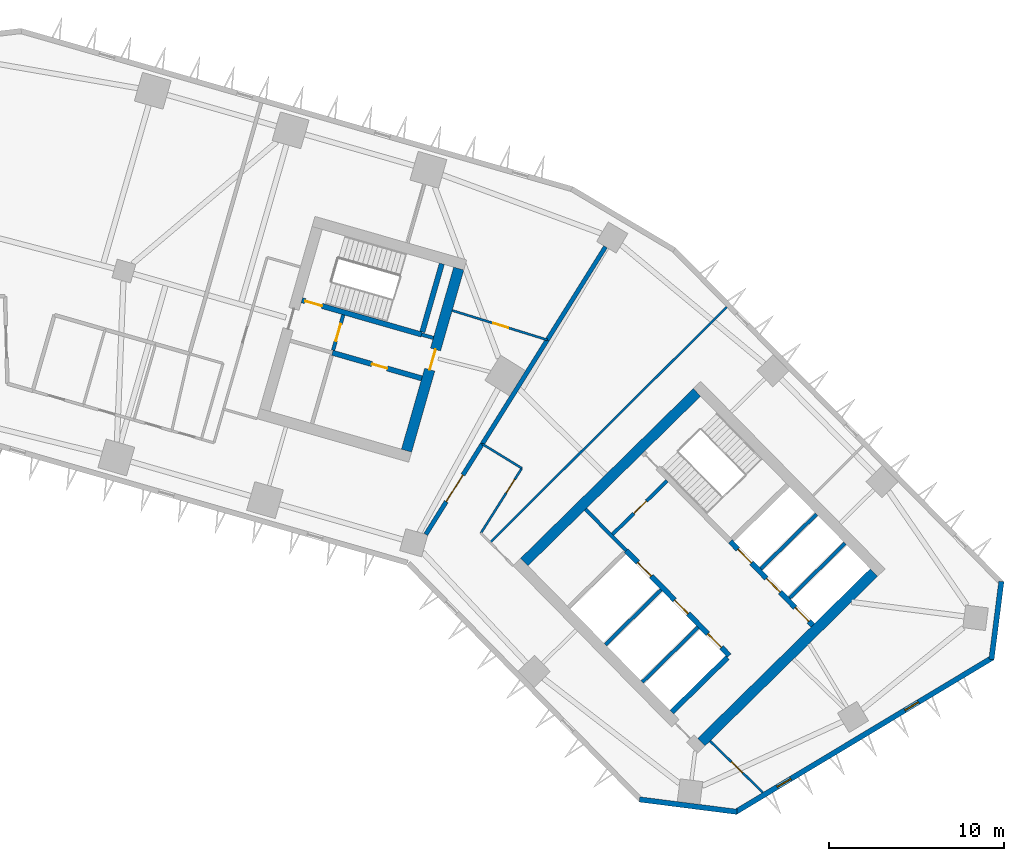
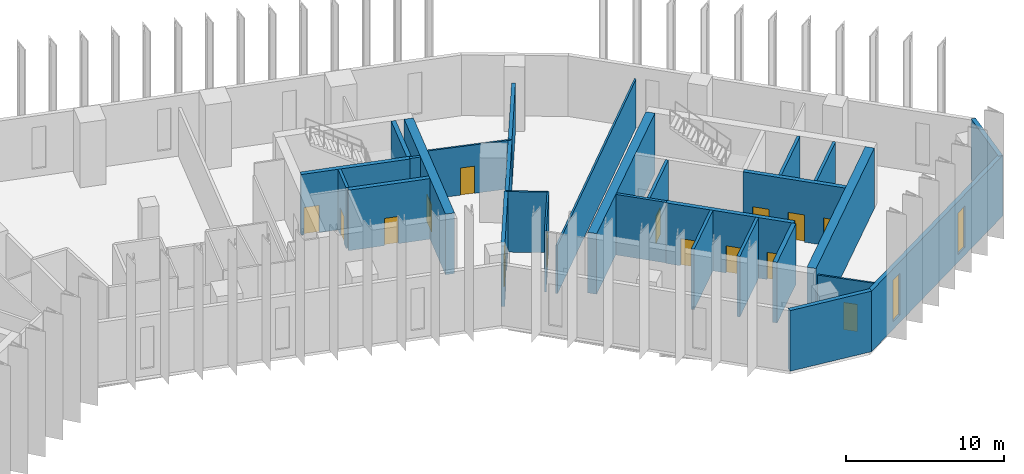
# One storey, part 6 of 11: 28 walls, 15 doors, 2 windows, 17 openings.
"""IFC4 building model written with IfcOpenShell, lengths in metres."""

import ifcopenshell
import ifcopenshell.guid

model = None  # the IFC model being written
_history = None  # IfcOwnerHistory: only IFC2X3 demands one
_inside = {}  # id of a spatial element -> (the spatial element, [elements in it])
_under = {}  # id of a project, library or spatial element -> (it, [spatial elements below it])
_declared = {}  # id of a project -> (the project, [libraries it declares])
_typed = {}  # id of a type object -> (the type object, [elements of that type])
_made_of = {}  # id of a material, layer set ... -> (it, [elements and type objects made of it])


def new_model(schema):
    """Start an empty IFC model of exactly this schema.

    Asked for "IFC4X3", IfcOpenShell would pick the latest addendum, in which some entities
    have other attributes; the version numbers below select the first issue.
    IFC2X3 requires an IfcOwnerHistory on every rooted entity: one is made here for all.
    """
    global model, _history
    if schema == "IFC4X3":
        model = ifcopenshell.file(schema_version=(4, 3, 0, 0))
    else:
        model = ifcopenshell.file(schema=schema)
    _inside.clear()
    _under.clear()
    _declared.clear()
    _typed.clear()
    _made_of.clear()
    _history = None
    if model.schema == "IFC2X3":
        org = make("IfcOrganization", Name="unknown")
        user = make(
            "IfcPersonAndOrganization",
            ThePerson=make("IfcPerson", FamilyName="unknown"),
            TheOrganization=org,
        )
        app = make(
            "IfcApplication",
            ApplicationDeveloper=org,
            Version="unknown",
            ApplicationFullName="unknown",
            ApplicationIdentifier="unknown",
        )
        _history = make(
            "IfcOwnerHistory",
            OwningUser=user,
            OwningApplication=app,
            ChangeAction="ADDED",
            CreationDate=0,
        )
    return model


def make(cls, **values):
    """One entity of the class cls with the attributes given. An attribute that is None is left unset."""
    return model.create_entity(
        cls, **{name: value for name, value in values.items() if value is not None}
    )


def rooted(cls, **values):
    """An entity with a GlobalId (a new one), such as an element, a storey or a relation."""
    return make(cls, GlobalId=ifcopenshell.guid.new(), OwnerHistory=_history, **values)


def si_unit(unit_type, name, prefix=None):
    """IfcSIUnit, for example si_unit("LENGTHUNIT", "METRE", prefix="MILLI")."""
    return make("IfcSIUnit", UnitType=unit_type, Prefix=prefix, Name=name)


def assignment(units):
    """IfcUnitAssignment: the units of a project."""
    return None if units is None else make("IfcUnitAssignment", Units=units)


def point(xyz):
    """IfcCartesianPoint."""
    return None if xyz is None else make("IfcCartesianPoint", Coordinates=xyz)


def direction(xyz):
    """IfcDirection."""
    return None if xyz is None else make("IfcDirection", DirectionRatios=xyz)


def frame(location, z_axis=None, x_axis=None):
    """IfcAxis2Placement3D, a coordinate frame: its origin and axes. An axis left out is left unset."""
    return make(
        "IfcAxis2Placement3D",
        Location=point(location),
        Axis=direction(z_axis),
        RefDirection=direction(x_axis),
    )


def frame_2d(location, x_axis=None):
    """IfcAxis2Placement2D, a coordinate frame in the plane: its origin and x axis."""
    return make(
        "IfcAxis2Placement2D", Location=point(location), RefDirection=direction(x_axis)
    )


def origin():
    """The frame at (0, 0, 0) with its axes left unset."""
    return frame((0.0, 0.0, 0.0))


def place(relative_to, where):
    """IfcLocalPlacement: puts the frame where relative to a parent placement (None: the world)."""
    return make(
        "IfcLocalPlacement", PlacementRelTo=relative_to, RelativePlacement=where
    )


def context(
    kind, dimensions, precision=None, world=None, true_north=None, identifier=None
):
    """IfcGeometricRepresentationContext, for example the 3D "Model" context."""
    return make(
        "IfcGeometricRepresentationContext",
        ContextIdentifier=identifier,
        ContextType=kind,
        CoordinateSpaceDimension=dimensions,
        Precision=precision,
        WorldCoordinateSystem=world,
        TrueNorth=true_north,
    )


def subcontext(parent, identifier, kind, view, scale=None):
    """IfcGeometricRepresentationSubContext, for example "Body" below "Model"."""
    return make(
        "IfcGeometricRepresentationSubContext",
        ContextIdentifier=identifier,
        ContextType=kind,
        ParentContext=parent,
        TargetScale=scale,
        TargetView=view,
    )


def project(units=None, contexts=None):
    """IfcProject with its units and contexts."""
    return rooted(
        "IfcProject",
        Name="project",
        RepresentationContexts=contexts,
        UnitsInContext=assignment(units),
    )


def spatial(cls, under=None, at=None, **own):
    """A site, building, storey or space (cls), placed at a placement, below another one or the project."""
    s = rooted(cls, ObjectPlacement=at, **own)
    if under is not None:
        _under.setdefault(under.id(), (under, []))[1].append(s)
    return s


def profile(cls, at=None, kind="AREA", **sizes):
    """A parametric profile (cls). Its sizes go by their IFC names, for example OverallWidth=200.0."""
    return make(cls, ProfileType=kind, Position=at, **sizes)


def rectangle(**sizes):
    """IfcRectangleProfileDef."""
    return profile("IfcRectangleProfileDef", **sizes)


def extrude(swept, where, along, depth):
    """IfcExtrudedAreaSolid: the profile swept, set in the frame where, extruded along a direction by depth."""
    return make(
        "IfcExtrudedAreaSolid",
        SweptArea=swept,
        Position=where,
        ExtrudedDirection=direction(along),
        Depth=depth,
    )


def shape(context_of_items, identifier, shape_type, items):
    """IfcShapeRepresentation: the items that make up one representation, for example the "Body"."""
    return make(
        "IfcShapeRepresentation",
        ContextOfItems=context_of_items,
        RepresentationIdentifier=identifier,
        RepresentationType=shape_type,
        Items=items,
    )


def material(Name=None, Category=None):
    """IfcMaterial."""
    return make("IfcMaterial", Name=Name, Category=Category)


def layer(
    of_material, thickness, ventilated=None, Name=None, Category=None, Priority=None
):
    """IfcMaterialLayer: one layer of a wall or slab, of a material (None: an air gap)."""
    return make(
        "IfcMaterialLayer",
        Material=of_material,
        LayerThickness=thickness,
        IsVentilated=ventilated,
        Name=Name,
        Category=Category,
        Priority=Priority,
    )


def layer_set(layers, Name=None):
    """IfcMaterialLayerSet."""
    return make("IfcMaterialLayerSet", MaterialLayers=layers, LayerSetName=Name)


def made_of(thing, what):
    """Note that an element or type object is made of a material, layer set ...; save() writes the relation."""
    if what is not None:
        _made_of.setdefault(what.id(), (what, []))[1].append(thing)
    return thing


def type_object(cls, material=None, **own):
    """A type object (cls), such as IfcWallType, which elements share."""
    return made_of(rooted(cls, **own), material)


def element(
    cls,
    number,
    at=None,
    inside=None,
    cuts=None,
    type_object=None,
    material=None,
    context=None,
    identifier="Body",
    shape_type=None,
    held_by="IfcProductDefinitionShape",
    body=None,
    shapes=None,
    **own,
):
    """One element of the class cls, such as IfcWall. Its Tag is "e" and its number.

    at: its placement. inside: the storey or other place that contains it. cuts: it is an
    opening in that element (IfcRelVoidsElement). A single representation is given by context,
    identifier, shape_type and body (its items); several are given by shapes. held_by: the class
    of the entity that holds the representations. save() writes the other relations.
    """
    e = rooted(cls, Tag="e%d" % number, ObjectPlacement=at, **own)
    if body is not None:
        shapes = [shape(context, identifier, shape_type, body)]
    if shapes is not None:
        e.Representation = make(held_by, Representations=shapes)
    if inside is not None:
        _inside.setdefault(inside.id(), (inside, []))[1].append(e)
    if cuts is not None:
        rooted(
            "IfcRelVoidsElement", RelatingBuildingElement=cuts, RelatedOpeningElement=e
        )
    if type_object is not None:
        _typed.setdefault(type_object.id(), (type_object, []))[1].append(e)
    return made_of(e, material)


def fill(opening, filler):
    """IfcRelFillsElement: the door or window that sits in an opening."""
    return rooted(
        "IfcRelFillsElement",
        RelatingOpeningElement=opening,
        RelatedBuildingElement=filler,
    )


def aggregate(whole, parts):
    """IfcRelAggregates: a whole, such as a stair, and the parts it consists of."""
    return rooted("IfcRelAggregates", RelatingObject=whole, RelatedObjects=parts)


def save(model, path):
    """Write the relations noted so far, then the file.

    IfcRelAggregates (storeys below a building ...), IfcRelContainedInSpatialStructure (elements
    in a storey), IfcRelDefinesByType, IfcRelAssociatesMaterial and IfcRelDeclares: one each for
    every whole, place, type object, material and project.
    """
    for whole, parts in _under.values():
        aggregate(whole, parts)
    for where, things in _inside.values():
        rooted(
            "IfcRelContainedInSpatialStructure",
            RelatedElements=things,
            RelatingStructure=where,
        )
    for kind, things in _typed.values():
        rooted("IfcRelDefinesByType", RelatedObjects=things, RelatingType=kind)
    for what, things in _made_of.values():
        rooted("IfcRelAssociatesMaterial", RelatedObjects=things, RelatingMaterial=what)
    for by, libraries in _declared.values():
        rooted("IfcRelDeclares", RelatingContext=by, RelatedDefinitions=libraries)
    model.write(path)


model = new_model("IFC4")

# Units and contexts
model_context = context("Model", 3, precision=1e-05, world=origin(), true_north=direction((0.0, 1.0)))
body_context = subcontext(model_context, "Body", "Model", "MODEL_VIEW")
ifc_project = project(units=[si_unit("LENGTHUNIT", "METRE"), si_unit("AREAUNIT", "SQUARE_METRE"), si_unit("VOLUMEUNIT", "CUBIC_METRE"), si_unit("PLANEANGLEUNIT", "RADIAN"), si_unit("MASSUNIT", "GRAM", prefix="KILO")], contexts=[model_context])

# Site, building, storey
site_placement = place(None, origin())
site = spatial("IfcSite", under=ifc_project, at=site_placement, CompositionType="ELEMENT")
building_placement = place(site_placement, origin())
building = spatial("IfcBuilding", under=site, at=building_placement, Name="Binnacle Exchange Tower", CompositionType="ELEMENT")
storey_placement = place(building_placement, frame((0.0, 0.0, 56.5)))
storey = spatial("IfcBuildingStorey", under=building, at=storey_placement, Name="L11", CompositionType="ELEMENT", Elevation=56.5)

# Wall, openings, doors
ifc_material_1 = material(Name="Concrete C70/85", Category="concrete")
ifc_layer_1 = layer(ifc_material_1, 0.300048828125)
ifc_layer_set_1 = layer_set([ifc_layer_1], Name="Core wall - front 300")
wall_type_1 = type_object("IfcWallType", Name="Core wall - front 300", PredefinedType="SOLIDWALL", material=ifc_layer_set_1)
wall_1_placement = place(storey_placement, frame((37.8740234375, 41.41552734375, 0.0), z_axis=(0.0, 0.0, 1.0), x_axis=(0.700918271237, -0.71324159795, 0.0)))
wall_1 = element("IfcWall", 1, at=wall_1_placement, inside=storey, type_object=wall_type_1, Name="Core wall CRWB3", PredefinedType="SOLIDWALL", context=body_context, shape_type="SweptSolid", body=[
    extrude(rectangle(XDim=8.39990234375, YDim=0.300048828125, at=frame_2d((4.199951171875, 0.0))), origin(), (0.0, 0.0, 1.0), 4.679931640625),
])
opening_1_placement = place(wall_1_placement, frame((0.949951171875, 0.0, 0.0)))
opening_1 = element("IfcOpeningElement", 2, at=opening_1_placement, cuts=wall_1, Name="Opening LD15", PredefinedType="OPENING", context=body_context, shape_type="SweptSolid", body=[
    extrude(rectangle(XDim=1.10009765625, YDim=2.10009765625, at=frame_2d((0.550048828125, 1.050048828125))), frame((0.0, 0.159912109375, 0.0), z_axis=(0.0, -1.0, 0.0), x_axis=(1.0, 0.0, 0.0)), (0.0, 0.0, 1.0), 0.320068359375),
])
opening_2_placement = place(wall_1_placement, frame((3.949951171875, 0.0, 0.0)))
opening_2 = element("IfcOpeningElement", 3, at=opening_2_placement, cuts=wall_1, Name="Opening LD16", PredefinedType="OPENING", context=body_context, shape_type="SweptSolid", body=[
    extrude(rectangle(XDim=1.10009765625, YDim=2.10009765625, at=frame_2d((0.550048828125, 1.050048828125))), frame((0.0, 0.159912109375, 0.0), z_axis=(0.0, -1.0, 0.0), x_axis=(1.0, 0.0, 0.0)), (0.0, 0.0, 1.0), 0.320068359375),
])
opening_3_placement = place(wall_1_placement, frame((6.64990234375, 0.0, 0.0)))
opening_3 = element("IfcOpeningElement", 4, at=opening_3_placement, cuts=wall_1, Name="Opening LD4", PredefinedType="OPENING", context=body_context, shape_type="SweptSolid", body=[
    extrude(rectangle(XDim=1.10009765625, YDim=2.10009765625, at=frame_2d((0.550048828125, 1.050048828125))), frame((0.0, 0.159912109375, 0.0), z_axis=(0.0, -1.0, 0.0), x_axis=(1.0, 0.0, 0.0)), (0.0, 0.0, 1.0), 0.320068359375),
])
ifc_material_2 = material(Name="Steel door leaf", Category="steel")
door_type_1 = type_object("IfcDoorType", Name="Fire door - lift landing 1100", OperationType="NOTDEFINED", PredefinedType="DOOR", material=ifc_material_2)
door_1_placement = place(opening_1_placement, origin())
door_1 = element("IfcDoor", 5, at=door_1_placement, inside=storey, type_object=door_type_1, Name="Landing door LD15 L11", OperationType="DOUBLE_DOOR_SLIDING", OverallHeight=2.10009765625, OverallWidth=1.10009765625, PredefinedType="DOOR", context=body_context, shape_type="SweptSolid", body=[
    extrude(rectangle(XDim=1.10009765625, YDim=2.10009765625, at=frame_2d((0.550048828125, 1.050048828125))), frame((0.0, 0.02490234375, 0.0), z_axis=(0.0, -1.0, 0.0), x_axis=(1.0, 0.0, 0.0)), (0.0, 0.0, 1.0), 0.050048828125),
])
fill(opening_1, door_1)
door_2_placement = place(opening_2_placement, origin())
door_2 = element("IfcDoor", 6, at=door_2_placement, inside=storey, type_object=door_type_1, Name="Landing door LD16 L11", OperationType="DOUBLE_DOOR_SLIDING", OverallHeight=2.10009765625, OverallWidth=1.10009765625, PredefinedType="DOOR", context=body_context, shape_type="SweptSolid", body=[
    extrude(rectangle(XDim=1.10009765625, YDim=2.10009765625, at=frame_2d((0.550048828125, 1.050048828125))), frame((0.0, 0.02490234375, 0.0), z_axis=(0.0, -1.0, 0.0), x_axis=(1.0, 0.0, 0.0)), (0.0, 0.0, 1.0), 0.050048828125),
])
fill(opening_2, door_2)
door_3_placement = place(opening_3_placement, origin())
door_3 = element("IfcDoor", 7, at=door_3_placement, inside=storey, type_object=door_type_1, Name="Landing door LD4 L11", OperationType="DOUBLE_DOOR_SLIDING", OverallHeight=2.10009765625, OverallWidth=1.10009765625, PredefinedType="DOOR", context=body_context, shape_type="SweptSolid", body=[
    extrude(rectangle(XDim=1.10009765625, YDim=2.10009765625, at=frame_2d((0.550048828125, 1.050048828125))), frame((0.0, 0.02490234375, 0.0), z_axis=(0.0, -1.0, 0.0), x_axis=(1.0, 0.0, 0.0)), (0.0, 0.0, 1.0), 0.050048828125),
])
fill(opening_3, door_3)

wall_2_placement = place(storey_placement, frame((43.818603515625, 41.92919921875, 0.0), z_axis=(0.0, 0.0, 1.0), x_axis=(0.700921619155, -0.713238307862, 0.0)))
wall_2 = element("IfcWall", 8, at=wall_2_placement, inside=storey, type_object=wall_type_1, Name="Core wall CRWB5", PredefinedType="SOLIDWALL", context=body_context, shape_type="SweptSolid", body=[
    extrude(rectangle(XDim=6.69970703125, YDim=0.300048828125, at=frame_2d((3.349853515625, 0.0))), origin(), (0.0, 0.0, 1.0), 4.679931640625),
])
opening_4_placement = place(wall_2_placement, frame((0.614990234375, 0.0, 0.0)))
opening_4 = element("IfcOpeningElement", 9, at=opening_4_placement, cuts=wall_2, Name="Opening LD1", PredefinedType="OPENING", context=body_context, shape_type="SweptSolid", body=[
    extrude(rectangle(XDim=1.10009765625, YDim=2.10009765625, at=frame_2d((0.550048828125, 1.050048828125))), frame((0.0, 0.159912109375, 0.0), z_axis=(0.0, -1.0, 0.0), x_axis=(1.0, 0.0, 0.0)), (0.0, 0.0, 1.0), 0.320068359375),
])
opening_5_placement = place(wall_2_placement, frame((2.945068359375, 0.0, 0.0)))
opening_5 = element("IfcOpeningElement", 10, at=opening_5_placement, cuts=wall_2, Name="Opening LD2", PredefinedType="OPENING", context=body_context, shape_type="SweptSolid", body=[
    extrude(rectangle(XDim=1.10009765625, YDim=2.10009765625, at=frame_2d((0.550048828125, 1.050048828125))), frame((0.0, 0.159912109375, 0.0), z_axis=(0.0, -1.0, 0.0), x_axis=(1.0, 0.0, 0.0)), (0.0, 0.0, 1.0), 0.320068359375),
])
opening_6_placement = place(wall_2_placement, frame((5.280029296875, 0.0, 0.0)))
opening_6 = element("IfcOpeningElement", 11, at=opening_6_placement, cuts=wall_2, Name="Opening LD3", PredefinedType="OPENING", context=body_context, shape_type="SweptSolid", body=[
    extrude(rectangle(XDim=1.10009765625, YDim=2.10009765625, at=frame_2d((0.550048828125, 1.050048828125))), frame((0.0, 0.159912109375, 0.0), z_axis=(0.0, -1.0, 0.0), x_axis=(1.0, 0.0, 0.0)), (0.0, 0.0, 1.0), 0.320068359375),
])
door_4_placement = place(opening_4_placement, origin())
door_4 = element("IfcDoor", 12, at=door_4_placement, inside=storey, type_object=door_type_1, Name="Landing door LD1 L11", OperationType="DOUBLE_DOOR_SLIDING", OverallHeight=2.10009765625, OverallWidth=1.10009765625, PredefinedType="DOOR", context=body_context, shape_type="SweptSolid", body=[
    extrude(rectangle(XDim=1.10009765625, YDim=2.10009765625, at=frame_2d((0.550048828125, 1.050048828125))), frame((0.0, 0.02490234375, 0.0), z_axis=(0.0, -1.0, 0.0), x_axis=(1.0, 0.0, 0.0)), (0.0, 0.0, 1.0), 0.050048828125),
])
fill(opening_4, door_4)
door_5_placement = place(opening_5_placement, origin())
door_5 = element("IfcDoor", 13, at=door_5_placement, inside=storey, type_object=door_type_1, Name="Landing door LD2 L11", OperationType="DOUBLE_DOOR_SLIDING", OverallHeight=2.10009765625, OverallWidth=1.10009765625, PredefinedType="DOOR", context=body_context, shape_type="SweptSolid", body=[
    extrude(rectangle(XDim=1.10009765625, YDim=2.10009765625, at=frame_2d((0.550048828125, 1.050048828125))), frame((0.0, 0.02490234375, 0.0), z_axis=(0.0, -1.0, 0.0), x_axis=(1.0, 0.0, 0.0)), (0.0, 0.0, 1.0), 0.050048828125),
])
fill(opening_5, door_5)
door_6_placement = place(opening_6_placement, origin())
door_6 = element("IfcDoor", 14, at=door_6_placement, inside=storey, type_object=door_type_1, Name="Landing door LD3 L11", OperationType="DOUBLE_DOOR_SLIDING", OverallHeight=2.10009765625, OverallWidth=1.10009765625, PredefinedType="DOOR", context=body_context, shape_type="SweptSolid", body=[
    extrude(rectangle(XDim=1.10009765625, YDim=2.10009765625, at=frame_2d((0.550048828125, 1.050048828125))), frame((0.0, 0.02490234375, 0.0), z_axis=(0.0, -1.0, 0.0), x_axis=(1.0, 0.0, 0.0)), (0.0, 0.0, 1.0), 0.050048828125),
])
fill(opening_6, door_6)

# Wall
wall_3_placement = place(storey_placement, frame((40.480712890625, 32.199951171875, 0.0), z_axis=(0.0, 0.0, 1.0), x_axis=(0.713251741427, 0.700907949271, 0.0)))
element("IfcWall", 15, at=wall_3_placement, inside=storey, type_object=wall_type_1, Name="Core wall CRWB14", PredefinedType="SOLIDWALL", context=body_context, shape_type="SweptSolid", body=[
    extrude(rectangle(XDim=4.4501953125, YDim=0.300048828125, at=frame_2d((2.22509765625, 0.0))), origin(), (0.0, 0.0, 1.0), 4.679931640625),
])

# Wall, opening, door
wall_4_placement = place(storey_placement, frame((21.130859375, 52.6923828125, 0.0), z_axis=(0.0, 0.0, 1.0), x_axis=(0.961271492568, -0.275603188616, 0.0)))
wall_4 = element("IfcWall", 16, at=wall_4_placement, inside=storey, type_object=wall_type_1, Name="Core wall CRWD3", PredefinedType="SOLIDWALL", context=body_context, shape_type="SweptSolid", body=[
    extrude(rectangle(XDim=5.300048828125, YDim=0.300048828125, at=frame_2d((2.64990234375, 0.0))), origin(), (0.0, 0.0, 1.0), 4.679931640625),
])
opening_7_placement = place(wall_4_placement, frame((2.35009765625, 0.0, 0.0)))
opening_7 = element("IfcOpeningElement", 17, at=opening_7_placement, cuts=wall_4, Name="Opening DD10", PredefinedType="OPENING", context=body_context, shape_type="SweptSolid", body=[
    extrude(rectangle(XDim=0.89990234375, YDim=2.10009765625, at=frame_2d((0.449951171875, 1.050048828125))), frame((0.0, 0.159912109375, 0.0), z_axis=(0.0, -1.0, 0.0), x_axis=(1.0, 0.0, 0.0)), (0.0, 0.0, 1.0), 0.320068359375),
])
door_type_2 = type_object("IfcDoorType", Name="Fire door 900", OperationType="NOTDEFINED", PredefinedType="DOOR", material=ifc_material_2)
door_7_placement = place(opening_7_placement, frame((0.89990234375, 0.0, 0.0), z_axis=(0.0, 0.0, 1.0), x_axis=(-1.0, 0.0, 0.0)))
door_7 = element("IfcDoor", 18, at=door_7_placement, inside=storey, type_object=door_type_2, Name="Core room door PANTRY", OperationType="SINGLE_SWING_LEFT", OverallHeight=2.10009765625, OverallWidth=0.89990234375, PredefinedType="DOOR", context=body_context, shape_type="SweptSolid", body=[
    extrude(rectangle(XDim=0.89990234375, YDim=2.10009765625, at=frame_2d((0.449951171875, 1.050048828125))), frame((0.0, 0.02490234375, 0.0), z_axis=(0.0, -1.0, 0.0), x_axis=(1.0, 0.0, 0.0)), (0.0, 0.0, 1.0), 0.050048828125),
])
fill(opening_7, door_7)

# Walls
ifc_layer_2 = layer(ifc_material_1, 0.60009765625)
ifc_layer_set_2 = layer_set([ifc_layer_2], Name="Core wall - outer 600")
wall_type_2 = type_object("IfcWallType", Name="Core wall - outer 600", PredefinedType="SOLIDWALL", material=ifc_layer_set_2)
for number, where, z_axis, x_axis, name in (
    (19, (32.06982421875, 40.759033203125, 0.0), (0.0, 0.0, 1.0), (0.713245344712, 0.70091445858, 0.0), "Core wall CRWB7"),
    (20, (42.1630859375, 30.48828125, 0.0), (0.0, 0.0, 1.0), (0.713245344712, 0.70091445858, 0.0), "Core wall CRWB16"),
):
    element("IfcWall", number, at=place(storey_placement, frame(where, z_axis=z_axis, x_axis=x_axis)), inside=storey, type_object=wall_type_2, Name=name, PredefinedType="SOLIDWALL", context=body_context, shape_type="SweptSolid", body=[
        extrude(rectangle(XDim=13.800048828125, YDim=0.60009765625, at=frame_2d((6.89990234375, 0.0))), origin(), (0.0, 0.0, 1.0), 4.679931640625),
    ])

# Wall, opening, door
wall_5_placement = place(storey_placement, frame((25.356201171875, 47.111572265625, 0.0), z_axis=(0.0, 0.0, 1.0), x_axis=(0.275631631629, 0.961263337304, 0.0)))
wall_5 = element("IfcWall", 21, at=wall_5_placement, inside=storey, type_object=wall_type_2, Name="Core wall CRWD12", PredefinedType="SOLIDWALL", context=body_context, shape_type="SweptSolid", body=[
    extrude(rectangle(XDim=10.800048828125, YDim=0.60009765625, at=frame_2d((5.39990234375, 0.0))), origin(), (0.0, 0.0, 1.0), 4.679931640625),
])
opening_8_placement = place(wall_5_placement, frame((4.800048828125, 0.0, 0.0)))
opening_8 = element("IfcOpeningElement", 22, at=opening_8_placement, cuts=wall_5, Name="Opening DD6", PredefinedType="OPENING", context=body_context, shape_type="SweptSolid", body=[
    extrude(rectangle(XDim=1.199951171875, YDim=2.10009765625, at=frame_2d((0.60009765625, 1.050048828125))), frame((0.0, 0.31005859375, 0.0), z_axis=(0.0, -1.0, 0.0), x_axis=(1.0, 0.0, 0.0)), (0.0, 0.0, 1.0), 0.6201171875),
])
door_type_3 = type_object("IfcDoorType", Name="Fire door 1200", OperationType="NOTDEFINED", PredefinedType="DOOR", material=ifc_material_2)
door_8_placement = place(opening_8_placement, frame((1.199951171875, 0.0, 0.0), z_axis=(0.0, 0.0, 1.0), x_axis=(-1.0, 0.0, 0.0)))
door_8 = element("IfcDoor", 23, at=door_8_placement, inside=storey, type_object=door_type_3, Name="Core passage exit door", OperationType="SINGLE_SWING_LEFT", OverallHeight=2.10009765625, OverallWidth=1.199951171875, PredefinedType="DOOR", context=body_context, shape_type="SweptSolid", body=[
    extrude(rectangle(XDim=1.199951171875, YDim=2.10009765625, at=frame_2d((0.60009765625, 1.050048828125))), frame((0.0, 0.02490234375, 0.0), z_axis=(0.0, -1.0, 0.0), x_axis=(1.0, 0.0, 0.0)), (0.0, 0.0, 1.0), 0.050048828125),
])
fill(opening_8, door_8)

ifc_layer_3 = layer(ifc_material_1, 0.300048828125)
ifc_layer_set_3 = layer_set([ifc_layer_3], Name="Core wall - stair 300")
wall_type_3 = type_object("IfcWallType", Name="Core wall - stair 300", PredefinedType="SOLIDWALL", material=ifc_layer_set_3)
wall_6_placement = place(storey_placement, frame((19.38916015625, 55.688720703125, 0.0), z_axis=(0.0, 0.0, 1.0), x_axis=(0.961261397636, -0.275638396117, 0.0)))
wall_6 = element("IfcWall", 24, at=wall_6_placement, inside=storey, type_object=wall_type_3, Name="Core wall CRWD4", PredefinedType="SOLIDWALL", context=body_context, shape_type="SweptSolid", body=[
    extrude(rectangle(XDim=7.10009765625, YDim=0.300048828125, at=frame_2d((3.550048828125, 0.0))), origin(), (0.0, 0.0, 1.0), 4.679931640625),
])
opening_9_placement = place(wall_6_placement, frame((0.199951171875, 0.0, 0.0)))
opening_9 = element("IfcOpeningElement", 25, at=opening_9_placement, cuts=wall_6, Name="Opening DD1", PredefinedType="OPENING", context=body_context, shape_type="SweptSolid", body=[
    extrude(rectangle(XDim=1.0, YDim=2.10009765625, at=frame_2d((0.5, 1.050048828125))), frame((0.0, 0.159912109375, 0.0), z_axis=(0.0, -1.0, 0.0), x_axis=(1.0, 0.0, 0.0)), (0.0, 0.0, 1.0), 0.320068359375),
])
door_type_4 = type_object("IfcDoorType", Name="Fire door 1000", OperationType="NOTDEFINED", PredefinedType="DOOR", material=ifc_material_2)
door_9_placement = place(opening_9_placement, origin())
door_9 = element("IfcDoor", 26, at=door_9_placement, inside=storey, type_object=door_type_4, Name="Stair door ST-D1", OperationType="SINGLE_SWING_LEFT", OverallHeight=2.10009765625, OverallWidth=1.0, PredefinedType="DOOR", context=body_context, shape_type="SweptSolid", body=[
    extrude(rectangle(XDim=1.0, YDim=2.10009765625, at=frame_2d((0.5, 1.050048828125))), frame((0.0, 0.02490234375, 0.0), z_axis=(0.0, -1.0, 0.0), x_axis=(1.0, 0.0, 0.0)), (0.0, 0.0, 1.0), 0.050048828125),
])
fill(opening_9, door_9)

# Walls
wall_7_placement = place(storey_placement, frame((26.255615234375, 53.875732421875, 0.0), z_axis=(0.0, 0.0, 1.0), x_axis=(0.275612739511, 0.961268754209, 0.0)))
element("IfcWall", 27, at=wall_7_placement, inside=storey, type_object=wall_type_3, Name="Core wall CRWD11", PredefinedType="SOLIDWALL", context=body_context, shape_type="SweptSolid", body=[
    extrude(rectangle(XDim=4.0498046875, YDim=0.300048828125, at=frame_2d((2.02490234375, 0.0))), origin(), (0.0, 0.0, 1.0), 4.679931640625),
])
ifc_material_3 = material(Name="Bronze aluminium cladding", Category="aluminium")
ifc_layer_4 = layer(ifc_material_3, 0.300048828125)
ifc_layer_set_4 = layer_set([ifc_layer_4], Name="External wall - spandrel 300")
wall_type_4 = type_object("IfcWallType", Name="External wall - spandrel 300", PredefinedType="STANDARD", material=ifc_layer_set_4)
wall_8_placement = place(storey_placement, frame((44.19580078125, 26.517822265625, 0.0), z_axis=(0.0, 0.0, 1.0), x_axis=(-0.992001881269, 0.126223086474, 0.0)))
element("IfcWall", 28, at=wall_8_placement, inside=storey, type_object=wall_type_4, Name="External wall EW-F10 L11", PredefinedType="STANDARD", context=body_context, shape_type="SweptSolid", body=[
    extrude(rectangle(XDim=5.6015625, YDim=0.300048828125, at=frame_2d((2.80078125, 0.0))), origin(), (0.0, 0.0, 1.0), 4.679931640625),
])

# Wall, openings, windows
wall_9_placement = place(storey_placement, frame((58.7783203125, 35.317626953125, 0.0), z_axis=(0.0, 0.0, 1.0), x_axis=(-0.857168206138, -0.515036568009, 0.0)))
wall_9 = element("IfcWall", 29, at=wall_9_placement, inside=storey, type_object=wall_type_4, Name="External wall EW-F11 L11", PredefinedType="STANDARD", context=body_context, shape_type="SweptSolid", body=[
    extrude(rectangle(XDim=17.124755859375, YDim=0.300048828125, at=frame_2d((8.5625, 0.0))), origin(), (0.0, 0.0, 1.0), 4.679931640625),
])
opening_10_placement = place(wall_9_placement, frame((13.435302734375, 0.0, 0.60009765625)))
opening_10 = element("IfcOpeningElement", 30, at=opening_10_placement, cuts=wall_9, Name="Opening WS1", PredefinedType="OPENING", context=body_context, shape_type="SweptSolid", body=[
    extrude(rectangle(XDim=0.89990234375, YDim=3.199951171875, at=frame_2d((0.449951171875, 1.60009765625))), frame((0.0, 0.159912109375, 0.0), z_axis=(0.0, -1.0, 0.0), x_axis=(1.0, 0.0, 0.0)), (0.0, 0.0, 1.0), 0.320068359375),
])
opening_11_placement = place(wall_9_placement, frame((4.935302734375, 0.0, 0.60009765625)))
opening_11 = element("IfcOpeningElement", 31, at=opening_11_placement, cuts=wall_9, Name="Opening WS1", PredefinedType="OPENING", context=body_context, shape_type="SweptSolid", body=[
    extrude(rectangle(XDim=0.89990234375, YDim=3.199951171875, at=frame_2d((0.449951171875, 1.60009765625))), frame((0.0, 0.159912109375, 0.0), z_axis=(0.0, -1.0, 0.0), x_axis=(1.0, 0.0, 0.0)), (0.0, 0.0, 1.0), 0.320068359375),
])
ifc_material_4 = material(Name="Bronze anodised aluminium frame", Category="aluminium")
window_type = type_object("IfcWindowType", Name="WS1 WINDOW 900x3200", PartitioningType="SINGLE_PANEL", PredefinedType="WINDOW", material=ifc_material_4)
window_1_placement = place(opening_10_placement, origin())
window_1 = element("IfcWindow", 32, at=window_1_placement, inside=storey, type_object=window_type, Name="Window WS1 L11", OverallHeight=3.199951171875, OverallWidth=0.89990234375, PartitioningType="SINGLE_PANEL", PredefinedType="WINDOW", context=body_context, shape_type="SweptSolid", body=[
    extrude(rectangle(XDim=0.89990234375, YDim=3.199951171875, at=frame_2d((0.449951171875, 1.60009765625))), frame((0.0, 0.030029296875, 0.0), z_axis=(0.0, -1.0, 0.0), x_axis=(1.0, 0.0, 0.0)), (0.0, 0.0, 1.0), 0.06005859375),
])
fill(opening_10, window_1)
window_2_placement = place(opening_11_placement, origin())
window_2 = element("IfcWindow", 33, at=window_2_placement, inside=storey, type_object=window_type, Name="Window WS1 L11", OverallHeight=3.199951171875, OverallWidth=0.89990234375, PartitioningType="SINGLE_PANEL", PredefinedType="WINDOW", context=body_context, shape_type="SweptSolid", body=[
    extrude(rectangle(XDim=0.89990234375, YDim=3.199951171875, at=frame_2d((0.449951171875, 1.60009765625))), frame((0.0, 0.030029296875, 0.0), z_axis=(0.0, -1.0, 0.0), x_axis=(1.0, 0.0, 0.0)), (0.0, 0.0, 1.0), 0.06005859375),
])
fill(opening_11, window_2)

# Wall
wall_10_placement = place(storey_placement, frame((59.27197265625, 39.6513671875, 0.0), z_axis=(0.0, 0.0, 1.0), x_axis=(-0.126181137886, -0.992007217938, 0.0)))
element("IfcWall", 34, at=wall_10_placement, inside=storey, type_object=wall_type_4, Name="External wall EW-F12 L11", PredefinedType="STANDARD", context=body_context, shape_type="SweptSolid", body=[
    extrude(rectangle(XDim=4.479248046875, YDim=0.300048828125, at=frame_2d((2.23974609375, 0.0))), origin(), (0.0, 0.0, 1.0), 4.679931640625),
])

# Wall, opening, door
ifc_material_5 = material(Name="Concrete fire wall C30/37", Category="concrete")
ifc_layer_5 = layer(ifc_material_5, 0.25)
ifc_layer_set_5 = layer_set([ifc_layer_5], Name="Fire wall - compartment 250")
wall_type_5 = type_object("IfcWallType", Name="Fire wall - compartment 250", PredefinedType="PARTITIONING", material=ifc_layer_set_5)
wall_11_placement = place(storey_placement, frame((26.4560546875, 42.337890625, 0.0), z_axis=(0.0, 0.0, 1.0), x_axis=(0.52980027265, 0.848122438743, 0.0)))
wall_11 = element("IfcWall", 35, at=wall_11_placement, inside=storey, type_object=wall_type_5, Name="Fire Wall W35", PredefinedType="PARTITIONING", context=body_context, shape_type="SweptSolid", body=[
    extrude(rectangle(XDim=6.075927734375, YDim=0.25, at=frame_2d((3.0380859375, 0.0))), origin(), (0.0, 0.0, 1.0), 4.679931640625),
])
opening_12_placement = place(wall_11_placement, frame((2.199951171875, 0.0, 0.0)))
opening_12 = element("IfcOpeningElement", 36, at=opening_12_placement, cuts=wall_11, Name="Opening DL11-15", PredefinedType="OPENING", context=body_context, shape_type="SweptSolid", body=[
    extrude(rectangle(XDim=1.800048828125, YDim=2.10009765625, at=frame_2d((0.89990234375, 1.050048828125))), frame((0.0, 0.135009765625, 0.0), z_axis=(0.0, -1.0, 0.0), x_axis=(1.0, 0.0, 0.0)), (0.0, 0.0, 1.0), 0.27001953125),
])
door_type_5 = type_object("IfcDoorType", Name="Fire door 1800", OperationType="NOTDEFINED", PredefinedType="DOOR", material=ifc_material_2)
door_10_placement = place(opening_12_placement, origin())
door_10 = element("IfcDoor", 37, at=door_10_placement, inside=storey, type_object=door_type_5, Name="Door DL11-15", OperationType="DOUBLE_DOOR_SINGLE_SWING", OverallHeight=2.10009765625, OverallWidth=1.800048828125, PredefinedType="DOOR", context=body_context, shape_type="SweptSolid", body=[
    extrude(rectangle(XDim=1.800048828125, YDim=2.10009765625, at=frame_2d((0.89990234375, 1.050048828125))), frame((0.0, 0.02490234375, 0.0), z_axis=(0.0, -1.0, 0.0), x_axis=(1.0, 0.0, 0.0)), (0.0, 0.0, 1.0), 0.050048828125),
])
fill(opening_12, door_10)

# Walls
wall_12_placement = place(storey_placement, frame((29.675048828125, 47.490966796875, 0.0), z_axis=(0.0, 0.0, 1.0), x_axis=(0.529992669945, 0.848002222759, 0.0)))
element("IfcWall", 38, at=wall_12_placement, inside=storey, type_object=wall_type_5, Name="Fire Wall W40", PredefinedType="PARTITIONING", context=body_context, shape_type="SweptSolid", body=[
    extrude(rectangle(XDim=7.0, YDim=0.25, at=frame_2d((3.5, 0.0))), origin(), (0.0, 0.0, 1.0), 3.741943359375),
])
wall_13_placement = place(storey_placement, frame((33.385009765625, 53.427001953125, 0.0), z_axis=(0.0, 0.0, 1.0), x_axis=(0.529897235032, 0.848061861131, 0.0)))
element("IfcWall", 39, at=wall_13_placement, inside=storey, type_object=wall_type_5, Name="Fire Wall W43", PredefinedType="PARTITIONING", context=body_context, shape_type="SweptSolid", body=[
    extrude(rectangle(XDim=6.257568359375, YDim=0.25, at=frame_2d((3.12890625, 0.0))), origin(), (0.0, 0.0, 1.0), 3.741943359375),
])

# Wall, opening, door
ifc_material_6 = material(Name="Masonry block wall", Category="masonry")
ifc_layer_6 = layer(ifc_material_6, 0.199951171875)
ifc_layer_set_6 = layer_set([ifc_layer_6], Name="Fire wall - vestibule 200")
wall_type_6 = type_object("IfcWallType", Name="Fire wall - vestibule 200", PredefinedType="PARTITIONING", material=ifc_layer_set_6)
wall_14_placement = place(storey_placement, frame((37.104248046875, 42.341552734375, 0.0), z_axis=(0.0, 0.0, 1.0), x_axis=(0.713281298468, 0.700877870428, 0.0)))
wall_14 = element("IfcWall", 40, at=wall_14_placement, inside=storey, type_object=wall_type_6, Name="Core wall CRWB8", PredefinedType="PARTITIONING", context=body_context, shape_type="SweptSolid", body=[
    extrude(rectangle(XDim=4.35009765625, YDim=0.199951171875, at=frame_2d((2.175048828125, 0.0))), origin(), (0.0, 0.0, 1.0), 4.679931640625),
])
opening_13_placement = place(wall_14_placement, frame((1.699951171875, 0.0, 0.0)))
opening_13 = element("IfcOpeningElement", 41, at=opening_13_placement, cuts=wall_14, Name="Opening DB3", PredefinedType="OPENING", context=body_context, shape_type="SweptSolid", body=[
    extrude(rectangle(XDim=1.0, YDim=2.10009765625, at=frame_2d((0.5, 1.050048828125))), frame((0.0, 0.10986328125, 0.0), z_axis=(0.0, -1.0, 0.0), x_axis=(1.0, 0.0, 0.0)), (0.0, 0.0, 1.0), 0.219970703125),
])
door_11_placement = place(opening_13_placement, origin())
door_11 = element("IfcDoor", 42, at=door_11_placement, inside=storey, type_object=door_type_4, Name="Vestibule door VEST-W", OperationType="SINGLE_SWING_RIGHT", OverallHeight=2.10009765625, OverallWidth=1.0, PredefinedType="DOOR", context=body_context, shape_type="SweptSolid", body=[
    extrude(rectangle(XDim=1.0, YDim=2.10009765625, at=frame_2d((0.5, 1.050048828125))), frame((0.0, 0.02490234375, 0.0), z_axis=(0.0, -1.0, 0.0), x_axis=(1.0, 0.0, 0.0)), (0.0, 0.0, 1.0), 0.050048828125),
])
fill(opening_13, door_11)

wall_15_placement = place(storey_placement, frame((21.172119140625, 52.836669921875, 0.0), z_axis=(0.0, 0.0, 1.0), x_axis=(0.275657676022, 0.961255868981, 0.0)))
wall_15 = element("IfcWall", 43, at=wall_15_placement, inside=storey, type_object=wall_type_6, Name="Core wall CRWD9", PredefinedType="PARTITIONING", context=body_context, shape_type="SweptSolid", body=[
    extrude(rectangle(XDim=2.099853515625, YDim=0.199951171875, at=frame_2d((1.0498046875, 0.0))), origin(), (0.0, 0.0, 1.0), 4.679931640625),
])
opening_14_placement = place(wall_15_placement, frame((0.550048828125, 0.0, 0.0)))
opening_14 = element("IfcOpeningElement", 44, at=opening_14_placement, cuts=wall_15, Name="Opening DD3", PredefinedType="OPENING", context=body_context, shape_type="SweptSolid", body=[
    extrude(rectangle(XDim=1.0, YDim=2.10009765625, at=frame_2d((0.5, 1.050048828125))), frame((0.0, 0.10986328125, 0.0), z_axis=(0.0, -1.0, 0.0), x_axis=(1.0, 0.0, 0.0)), (0.0, 0.0, 1.0), 0.219970703125),
])
door_12_placement = place(opening_14_placement, origin())
door_12 = element("IfcDoor", 45, at=door_12_placement, inside=storey, type_object=door_type_4, Name="Vestibule door VEST-W", OperationType="SINGLE_SWING_RIGHT", OverallHeight=2.10009765625, OverallWidth=1.0, PredefinedType="DOOR", context=body_context, shape_type="SweptSolid", body=[
    extrude(rectangle(XDim=1.0, YDim=2.10009765625, at=frame_2d((0.5, 1.050048828125))), frame((0.0, 0.02490234375, 0.0), z_axis=(0.0, -1.0, 0.0), x_axis=(1.0, 0.0, 0.0)), (0.0, 0.0, 1.0), 0.050048828125),
])
fill(opening_14, door_12)

ifc_material_7 = material(Name="Gypsum partition")
ifc_layer_7 = layer(ifc_material_7, 0.125)
ifc_layer_set_7 = layer_set([ifc_layer_7], Name="Partition 125")
wall_type_7 = type_object("IfcWallType", Name="Partition 125", PredefinedType="PARTITIONING", material=ifc_layer_set_7)
wall_16_placement = place(storey_placement, frame((27.9599609375, 55.10302734375, 0.0), z_axis=(0.0, 0.0, 1.0), x_axis=(0.955442775069, -0.29517639399, 0.0)))
wall_16 = element("IfcWall", 46, at=wall_16_placement, inside=storey, type_object=wall_type_7, Name="Partition W36", PredefinedType="PARTITIONING", context=body_context, shape_type="SweptSolid", body=[
    extrude(rectangle(XDim=5.677978515625, YDim=0.125, at=frame_2d((2.8388671875, 0.0))), origin(), (0.0, 0.0, 1.0), 3.748046875),
])
opening_15_placement = place(wall_16_placement, frame((2.449951171875, 0.0, 0.0)))
opening_15 = element("IfcOpeningElement", 47, at=opening_15_placement, cuts=wall_16, Name="Opening DL11-10", PredefinedType="OPENING", context=body_context, shape_type="SweptSolid", body=[
    extrude(rectangle(XDim=0.89990234375, YDim=2.10009765625, at=frame_2d((0.449951171875, 1.050048828125))), frame((0.0, 0.072509765625, 0.0), z_axis=(0.0, -1.0, 0.0), x_axis=(1.0, 0.0, 0.0)), (0.0, 0.0, 1.0), 0.14501953125),
])
ifc_material_8 = material(Name="Timber door leaf", Category="wood")
door_type_6 = type_object("IfcDoorType", Name="Door 900", OperationType="NOTDEFINED", PredefinedType="DOOR", material=ifc_material_8)
door_13_placement = place(opening_15_placement, origin())
door_13 = element("IfcDoor", 48, at=door_13_placement, inside=storey, type_object=door_type_6, Name="Door DL11-10", OperationType="SINGLE_SWING_RIGHT", OverallHeight=2.10009765625, OverallWidth=0.89990234375, PredefinedType="DOOR", context=body_context, shape_type="SweptSolid", body=[
    extrude(rectangle(XDim=0.89990234375, YDim=2.10009765625, at=frame_2d((0.449951171875, 1.050048828125))), frame((0.0, 0.02490234375, 0.0), z_axis=(0.0, -1.0, 0.0), x_axis=(1.0, 0.0, 0.0)), (0.0, 0.0, 1.0), 0.050048828125),
])
fill(opening_15, door_13)

wall_17_placement = place(storey_placement, frame((29.60009765625, 42.416015625, 0.0), z_axis=(0.0, 0.0, 1.0), x_axis=(0.533582711531, 0.84574788794, 0.0)))
wall_17 = element("IfcWall", 49, at=wall_17_placement, inside=storey, type_object=wall_type_7, Name="Partition W38", PredefinedType="PARTITIONING", context=body_context, shape_type="SweptSolid", body=[
    extrude(rectangle(XDim=4.366455078125, YDim=0.125, at=frame_2d((2.18310546875, 0.0))), origin(), (0.0, 0.0, 1.0), 4.679931640625),
])
opening_16_placement = place(wall_17_placement, frame((2.699951171875, 0.0, 0.0)))
opening_16 = element("IfcOpeningElement", 50, at=opening_16_placement, cuts=wall_17, Name="Opening DL11-11", PredefinedType="OPENING", context=body_context, shape_type="SweptSolid", body=[
    extrude(rectangle(XDim=0.89990234375, YDim=2.10009765625, at=frame_2d((0.449951171875, 1.050048828125))), frame((0.0, 0.072509765625, 0.0), z_axis=(0.0, -1.0, 0.0), x_axis=(1.0, 0.0, 0.0)), (0.0, 0.0, 1.0), 0.14501953125),
])
door_14_placement = place(opening_16_placement, frame((0.89990234375, 0.0, 0.0), z_axis=(0.0, 0.0, 1.0), x_axis=(-1.0, 0.0, 0.0)))
door_14 = element("IfcDoor", 51, at=door_14_placement, inside=storey, type_object=door_type_6, Name="Door DL11-11", OperationType="SINGLE_SWING_LEFT", OverallHeight=2.10009765625, OverallWidth=0.89990234375, PredefinedType="DOOR", context=body_context, shape_type="SweptSolid", body=[
    extrude(rectangle(XDim=0.89990234375, YDim=2.10009765625, at=frame_2d((0.449951171875, 1.050048828125))), frame((0.0, 0.02490234375, 0.0), z_axis=(0.0, -1.0, 0.0), x_axis=(1.0, 0.0, 0.0)), (0.0, 0.0, 1.0), 0.050048828125),
])
fill(opening_16, door_14)

# Walls
wall_18_placement = place(storey_placement, frame((29.675048828125, 47.490966796875, 0.0), z_axis=(0.0, 0.0, 1.0), x_axis=(0.852591965232, -0.522577210392, 0.0)))
element("IfcWall", 52, at=wall_18_placement, inside=storey, type_object=wall_type_7, Name="Partition W39", PredefinedType="PARTITIONING", context=body_context, shape_type="SweptSolid", body=[
    extrude(rectangle(XDim=2.644775390625, YDim=0.125, at=frame_2d((1.322265625, 0.0))), origin(), (0.0, 0.0, 1.0), 4.679931640625),
])
wall_19_placement = place(storey_placement, frame((30.1259765625, 41.882080078125, 0.0), z_axis=(0.0, 0.0, 1.0), x_axis=(0.709029789155, 0.705178529233, 0.0)))
element("IfcWall", 53, at=wall_19_placement, inside=storey, type_object=wall_type_7, Name="Partition W42", PredefinedType="PARTITIONING", context=body_context, shape_type="SweptSolid", body=[
    extrude(rectangle(XDim=19.017822265625, YDim=0.125, at=frame_2d((9.5087890625, 0.0))), origin(), (0.0, 0.0, 1.0), 3.741943359375),
])

# Wall, opening, door
wall_20_placement = place(storey_placement, frame((42.658935546875, 30.554931640625, 0.0), z_axis=(0.0, 0.0, 1.0), x_axis=(0.716925671772, -0.697149611743, 0.0)))
wall_20 = element("IfcWall", 54, at=wall_20_placement, inside=storey, type_object=wall_type_7, Name="Partition W44", PredefinedType="PARTITIONING", context=body_context, shape_type="SweptSolid", body=[
    extrude(rectangle(XDim=4.209716796875, YDim=0.125, at=frame_2d((2.10498046875, 0.0))), origin(), (0.0, 0.0, 1.0), 3.951904296875),
])
opening_17_placement = place(wall_20_placement, frame((1.699951171875, 0.0, 0.0)))
opening_17 = element("IfcOpeningElement", 55, at=opening_17_placement, cuts=wall_20, Name="Opening DL11-13", PredefinedType="OPENING", context=body_context, shape_type="SweptSolid", body=[
    extrude(rectangle(XDim=0.89990234375, YDim=2.10009765625, at=frame_2d((0.449951171875, 1.050048828125))), frame((0.0, 0.072509765625, 0.0), z_axis=(0.0, -1.0, 0.0), x_axis=(1.0, 0.0, 0.0)), (0.0, 0.0, 1.0), 0.14501953125),
])
door_15_placement = place(opening_17_placement, origin())
door_15 = element("IfcDoor", 56, at=door_15_placement, inside=storey, type_object=door_type_6, Name="Door DL11-13", OperationType="SINGLE_SWING_RIGHT", OverallHeight=2.10009765625, OverallWidth=0.89990234375, PredefinedType="DOOR", context=body_context, shape_type="SweptSolid", body=[
    extrude(rectangle(XDim=0.89990234375, YDim=2.10009765625, at=frame_2d((0.449951171875, 1.050048828125))), frame((0.0, 0.02490234375, 0.0), z_axis=(0.0, -1.0, 0.0), x_axis=(1.0, 0.0, 0.0)), (0.0, 0.0, 1.0), 0.050048828125),
])
fill(opening_17, door_15)

# Walls
ifc_layer_8 = layer(ifc_material_6, 0.199951171875)
ifc_layer_set_8 = layer_set([ifc_layer_8], Name="Riser wall 200")
wall_type_8 = type_object("IfcWallType", Name="Riser wall 200", PredefinedType="SOLIDWALL", material=ifc_layer_set_8)
wall_21_placement = place(storey_placement, frame((35.56103515625, 43.769287109375, 0.0), z_axis=(0.0, 0.0, 1.0), x_axis=(0.70090232736, -0.713257266, 0.0)))
element("IfcWall", 57, at=wall_21_placement, inside=storey, type_object=wall_type_8, Name="Core wall CRWB2", PredefinedType="SOLIDWALL", context=body_context, shape_type="SweptSolid", body=[
    extrude(rectangle(XDim=3.300048828125, YDim=0.199951171875, at=frame_2d((1.64990234375, 0.0))), origin(), (0.0, 0.0, 1.0), 4.679931640625),
])
wall_22_placement = place(storey_placement, frame((26.214111328125, 53.731689453125, 0.0), z_axis=(0.0, 0.0, 1.0), x_axis=(0.96122076476, -0.27578005982, 0.0)))
element("IfcWall", 58, at=wall_22_placement, inside=storey, type_object=wall_type_8, Name="Core wall CRWD5", PredefinedType="SOLIDWALL", context=body_context, shape_type="SweptSolid", body=[
    extrude(rectangle(XDim=0.7001953125, YDim=0.199951171875, at=frame_2d((0.35009765625, 0.0))), origin(), (0.0, 0.0, 1.0), 4.679931640625),
])
ifc_layer_9 = layer(ifc_material_6, 0.199951171875)
ifc_layer_set_9 = layer_set([ifc_layer_9], Name="Shaft wall 200")
wall_type_9 = type_object("IfcWallType", Name="Shaft wall 200", PredefinedType="SOLIDWALL", material=ifc_layer_set_9)
for number, where, z_axis, x_axis, name in (
    (59, (36.69580078125, 36.051513671875, 0.0), (0.0, 0.0, 1.0), (0.713251741427, 0.700907949271, 0.0), "Core wall CRWB10"),
    (60, (38.798583984375, 33.911865234375, 0.0), (0.0, 0.0, 1.0), (0.713251741427, 0.700907949271, 0.0), "Core wall CRWB12"),
    (61, (45.55859375, 40.37255859375, 0.0), (0.0, 0.0, 1.0), (0.713251741427, 0.700907949271, 0.0), "Core wall CRWB13"),
    (62, (47.191650390625, 38.710693359375, 0.0), (0.0, 0.0, 1.0), (0.713251741427, 0.700907949271, 0.0), "Core wall CRWB15"),
):
    element("IfcWall", number, at=place(storey_placement, frame(where, z_axis=z_axis, x_axis=x_axis)), inside=storey, type_object=wall_type_9, Name=name, PredefinedType="SOLIDWALL", context=body_context, shape_type="SweptSolid", body=[
        extrude(rectangle(XDim=4.4501953125, YDim=0.199951171875, at=frame_2d((2.22509765625, 0.0))), origin(), (0.0, 0.0, 1.0), 4.679931640625),
    ])

save(model, "model.ifc")
